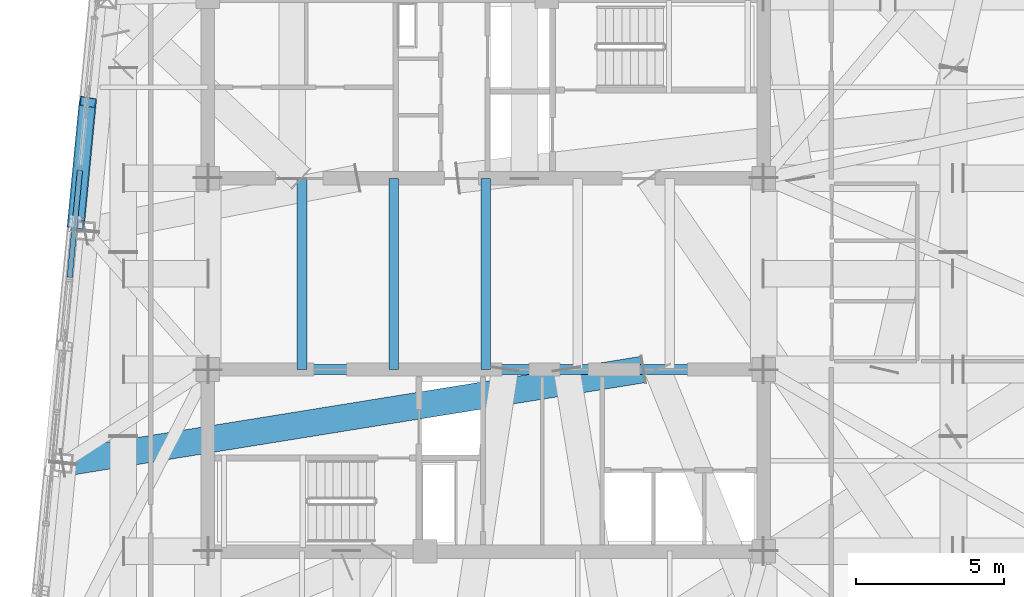
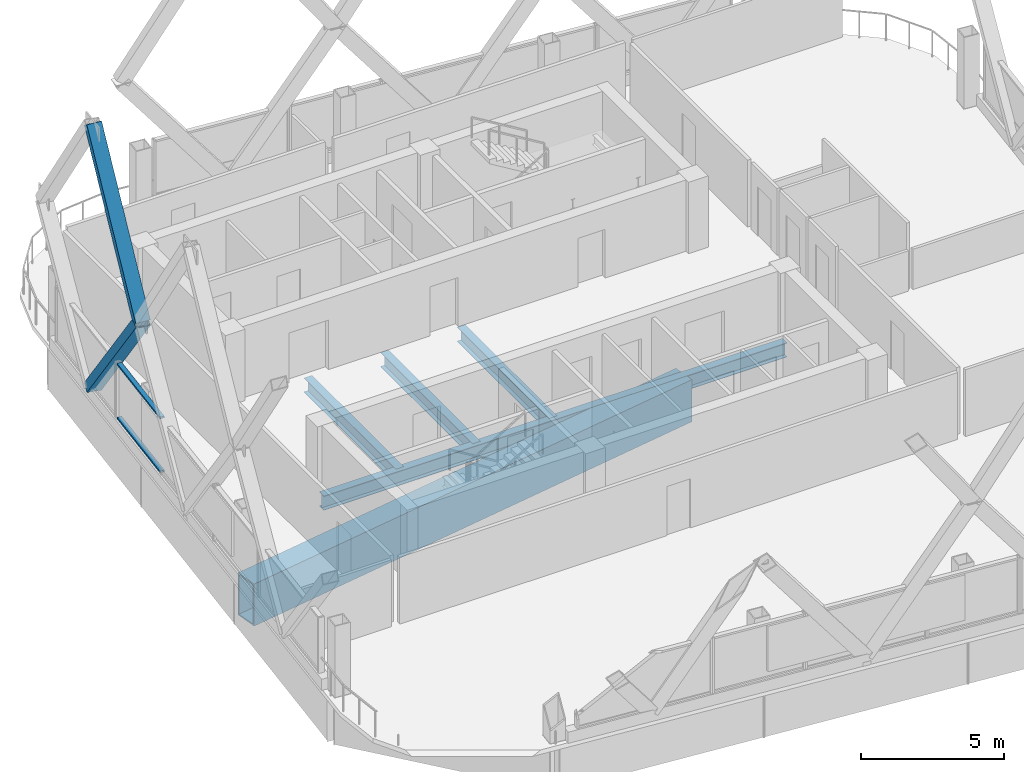
# One storey, part 13 of 31: 5 beams, 4 members, 1 element without a shape of its own.
"""IFC4 building model written with IfcOpenShell, lengths in metres."""

from ifc_helpers import new_model, si_unit, direction, frame, origin, origin_2d, place, context, subcontext, project, spatial, hollow_rectangle, i_section, extrude, material, layer, layer_set, material_profile, profile_set, type_object, element, aggregate, save


model = new_model("IFC4")

# Units and contexts
model_context = context("Model", 3, precision=1e-05, world=origin(), true_north=direction((0.0, 1.0)))
body_context = subcontext(model_context, "Body", "Model", "MODEL_VIEW")
ifc_project = project(units=[si_unit("LENGTHUNIT", "METRE"), si_unit("AREAUNIT", "SQUARE_METRE"), si_unit("VOLUMEUNIT", "CUBIC_METRE"), si_unit("PLANEANGLEUNIT", "RADIAN"), si_unit("MASSUNIT", "GRAM", prefix="KILO")], contexts=[model_context])

# Site, building, storey
site_placement = place(None, origin())
site = spatial("IfcSite", under=ifc_project, at=site_placement, CompositionType="ELEMENT")
building_placement = place(site_placement, origin())
building = spatial("IfcBuilding", under=site, at=building_placement, Name="Qhalaya Broadcast Tower", CompositionType="ELEMENT")
storey_placement = place(building_placement, frame((0.0, 0.0, 242.85009765625)))
storey = spatial("IfcBuildingStorey", under=building, at=storey_placement, Name="L71", CompositionType="ELEMENT", Elevation=242.85009765625)

# Beams
ifc_material_1 = material(Name="Structural Steel ASTM A572 Grade 50", Category="steel")
ifc_material_profile_1 = material_profile(ifc_material_1, hollow_rectangle(XDim=0.89990234375, YDim=1.800048828125, WallThickness=0.06005859375, at=origin_2d()), Name="BOX 900x1800x60")
ifc_profile_set_1 = profile_set([ifc_material_profile_1], Name="Structural Steel ASTM A572 Grade 50")
beam_type_1 = type_object("IfcBeamType", Name="Block Cantilever Transfer Box Girder TG1", PredefinedType="USERDEFINED", material=ifc_profile_set_1)
beam_1_placement = place(storey_placement, frame((5.2998046875, -2.625, -1.090087890625), z_axis=(-0.987252118301, -0.159164238792, 0.0), x_axis=(0.159164238792, -0.987252118301, 0.0)))
element("IfcBeam", 1, at=beam_1_placement, inside=storey, type_object=beam_type_1, Name="L71 Continuous Cantilever Transfer Box Girder 15", ObjectType="GIRDER", PredefinedType="USERDEFINED", context=body_context, shape_type="SweptSolid", body=[
    extrude(hollow_rectangle(XDim=0.89990234375, YDim=1.800048828125, WallThickness=0.06005859375, at=origin_2d()), origin(), (0.0, 0.0, 1.0), 19.80859375),
])
ifc_material_2 = material(Name="Structural Steel ASTM A992 Grade 50", Category="steel")
ifc_material_profile_2 = material_profile(ifc_material_2, i_section(OverallWidth=0.323974609375, OverallDepth=0.612060546875, WebThickness=0.0126953125, FlangeThickness=0.01904296875, at=origin_2d()), Name="W24X104")
ifc_profile_set_2 = profile_set([ifc_material_profile_2], Name="Structural Steel ASTM A992 Grade 50")
beam_type_2 = type_object("IfcBeamType", Name="Core Frame Tie Beam B04", PredefinedType="BEAM", material=ifc_profile_set_2)
beam_2_placement = place(storey_placement, frame((-9.375, -2.625, -0.49609375), z_axis=(1.0, 0.0, 0.0), x_axis=(0.0, 1.0, 0.0)))
element("IfcBeam", 2, at=beam_2_placement, inside=storey, type_object=beam_type_2, Name="L71 B04 L71-CCS1", PredefinedType="BEAM", context=body_context, shape_type="SweptSolid", body=[
    extrude(i_section(OverallWidth=0.323974609375, OverallDepth=0.612060546875, WebThickness=0.0126953125, FlangeThickness=0.01904296875, at=origin_2d()), origin(), (0.0, 0.0, 1.0), 18.75),
])
for number, where, z_axis, x_axis, name in (
    (3, (-6.199951171875, -2.625, -0.49609375), (0.0, 1.0, 0.0), (-1.0, 0.0, 0.0), "L71 B04 L71-JC1-1"),
    (4, (-3.10009765625, -2.625, -0.49609375), (0.0, 1.0, 0.0), (-1.0, 0.0, 0.0), "L71 B04 L71-JC2-1"),
    (5, (0.0, -2.625, -0.49609375), (0.0, 1.0, 0.0), (-1.0, 0.0, 0.0), "L71 B04 L71-JC3-1"),
):
    element("IfcBeam", number, at=place(storey_placement, frame(where, z_axis=z_axis, x_axis=x_axis)), inside=storey, type_object=beam_type_2, Name=name, PredefinedType="BEAM", context=body_context, shape_type="SweptSolid", body=[
        extrude(i_section(OverallWidth=0.323974609375, OverallDepth=0.612060546875, WebThickness=0.0126953125, FlangeThickness=0.01904296875, at=origin_2d()), origin(), (0.0, 0.0, 1.0), 6.449951171875),
    ])

# Members
ifc_material_profile_3 = material_profile(ifc_material_1, hollow_rectangle(XDim=0.3798828125, YDim=0.550048828125, WallThickness=0.02490234375, at=origin_2d()), Name="BOX 380x550x25")
ifc_profile_set_3 = profile_set([ifc_material_profile_3], Name="Structural Steel ASTM A572 Grade 50")
member_type_1 = type_object("IfcMemberType", Name="Exoskeleton Diamond Diagonal Upper EX4", PredefinedType="BRACE", material=ifc_profile_set_3)
member_1_placement = place(storey_placement, frame((-13.425537109375, 6.3984375, 0.35986328125), z_axis=(-0.058301925892, -0.605362942159, 0.793811434597), x_axis=(0.171153078973, 0.777329359739, 0.60536409709)))
element("IfcMember", 6, at=member_1_placement, inside=storey, type_object=member_type_1, Name="B6 Exoskeleton Diamond Brace W1-D2", PredefinedType="BRACE", context=body_context, shape_type="SweptSolid", body=[
    extrude(hollow_rectangle(XDim=0.3798828125, YDim=0.550048828125, WallThickness=0.02490234375, at=origin_2d()), origin(), (0.0, 0.0, 1.0), 6.79638671875),
])
member_2_placement = place(storey_placement, frame((-13.82177734375, 2.2841796875, 5.7548828125), z_axis=(0.055161336321, 0.572753444041, 0.817869622443), x_axis=(-0.17344881055, -0.801166493771, 0.572754536758)))
element("IfcMember", 7, at=member_2_placement, inside=storey, type_object=member_type_1, Name="B6 Exoskeleton Diamond Brace W1-D4", PredefinedType="BRACE", context=body_context, shape_type="SweptSolid", body=[
    extrude(hollow_rectangle(XDim=0.3798828125, YDim=0.550048828125, WallThickness=0.02490234375, at=origin_2d()), origin(), (0.0, 0.0, 1.0), 7.183349609375),
])

# Curtain wall, members
ifc_material_3 = material(Name="Solar-Control Low-E Triple Glazing", Category="glass")
ifc_layer = layer(ifc_material_3, 0.219970703125, Name="Solar-Control Low-E Triple Glazing")
ifc_layer_set = layer_set([ifc_layer], Name="Solar-Control Low-E Triple Glazing")
curtain_wall_type = type_object("IfcCurtainWallType", Name="High-Altitude Upper-Shaft Triple Low-E Curtain Wall CW-04", PredefinedType="NOTDEFINED", material=ifc_layer_set)
curtain_wall_placement = place(storey_placement, origin())
curtain_wall = element("IfcCurtainWall", 8, at=curtain_wall_placement, inside=storey, type_object=curtain_wall_type, Name="L71 Unitised Curtain Wall L71-CW-W2", PredefinedType="NOTDEFINED")
ifc_material_4 = material(Name="Anodised Aluminium 6063-T6", Category="aluminium")
ifc_material_profile_4 = material_profile(ifc_material_4, hollow_rectangle(XDim=0.074951171875, YDim=0.179931640625, WallThickness=0.00390625, at=origin_2d()), Name="ALU-TRN 75x180x4")
ifc_profile_set_4 = profile_set([ifc_material_profile_4], Name="Anodised Aluminium 6063-T6")
member_type_2 = type_object("IfcMemberType", Name="Unitised Curtain-Wall Transom T01", PredefinedType="USERDEFINED", material=ifc_profile_set_4)
member_3_placement = place(storey_placement, frame((-13.68798828125, 4.09130859375, 0.517333984375), z_axis=(-0.095826687714, -0.995398033915, 0.0), x_axis=(0.0, 0.0, 1.0)))
member_3 = element("IfcMember", 9, at=member_3_placement, type_object=member_type_2, Name="CW-04 transom 1.1", ObjectType="TRANSOM", PredefinedType="USERDEFINED", context=body_context, shape_type="SweptSolid", body=[
    extrude(hollow_rectangle(XDim=0.074951171875, YDim=0.179931640625, WallThickness=0.00390625, at=origin_2d()), origin(), (0.0, 0.0, 1.0), 3.622802734375),
])
member_4_placement = place(storey_placement, frame((-13.68798828125, 4.09130859375, 2.822509765625), z_axis=(-0.095826687714, -0.995398033915, 0.0), x_axis=(0.0, 0.0, 1.0)))
member_4 = element("IfcMember", 10, at=member_4_placement, type_object=member_type_2, Name="CW-04 transom 1.2", ObjectType="TRANSOM", PredefinedType="USERDEFINED", context=body_context, shape_type="SweptSolid", body=[
    extrude(hollow_rectangle(XDim=0.074951171875, YDim=0.179931640625, WallThickness=0.00390625, at=origin_2d()), origin(), (0.0, 0.0, 1.0), 3.622802734375),
])
aggregate(curtain_wall, [member_3, member_4])

save(model, "model.ifc")
